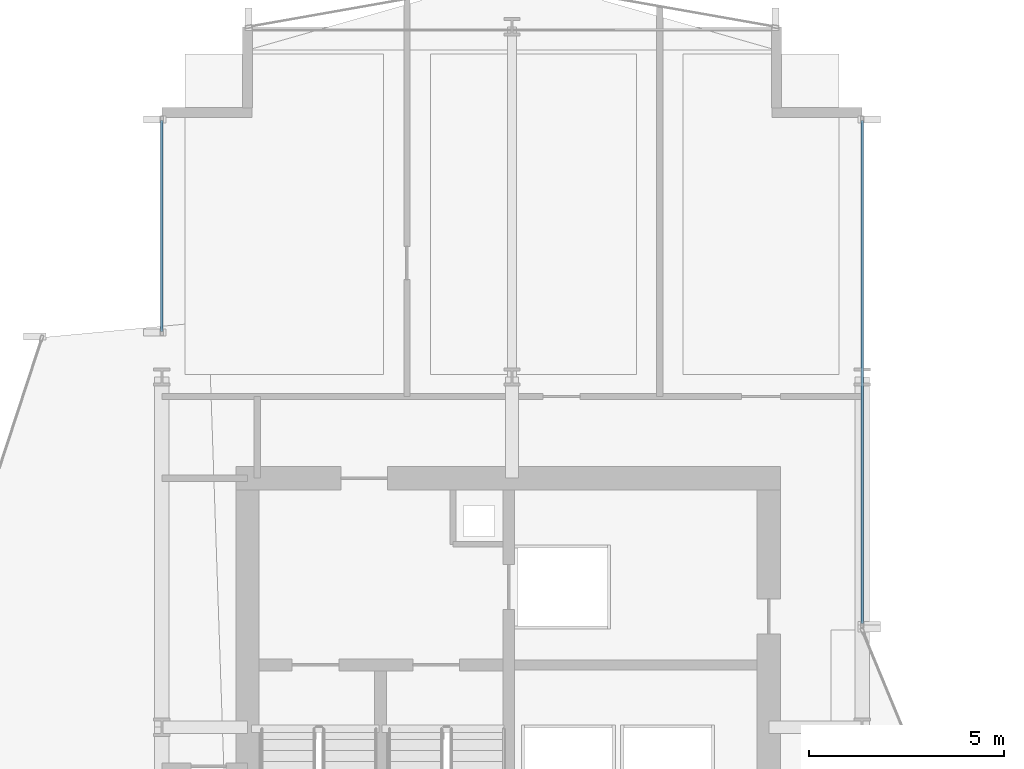
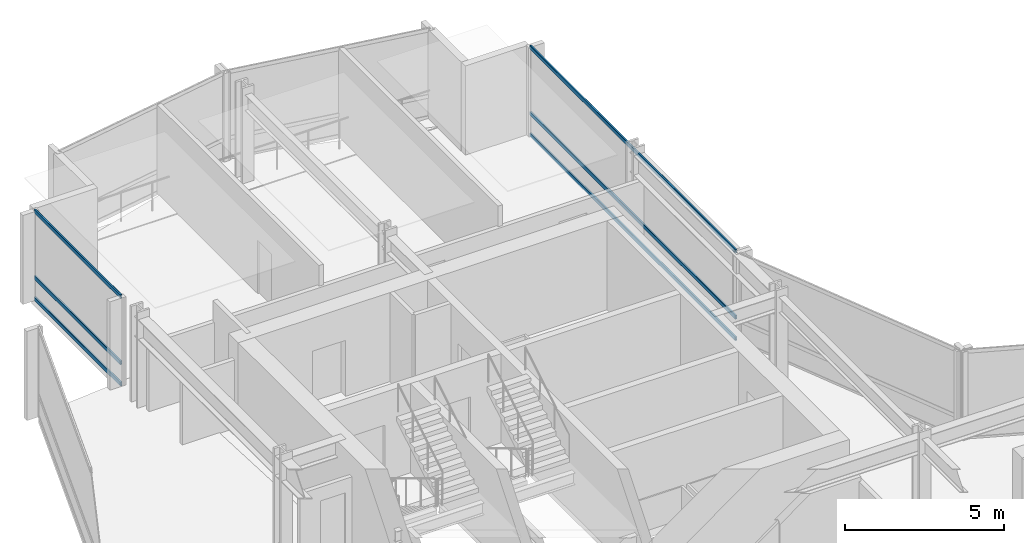
# One storey, part 22 of 34: 6 members, 2 elements without a shape of their own.
"""IFC4 building model written with IfcOpenShell, lengths in metres."""

from ifc_helpers import new_model, si_unit, direction, frame, origin, origin_2d, place, context, subcontext, project, spatial, hollow_rectangle, extrude, material, layer, layer_set, material_profile, profile_set, type_object, element, aggregate, save


model = new_model("IFC4")

# Units and contexts
model_context = context("Model", 3, precision=1e-05, world=origin(), true_north=direction((0.0, 1.0)))
body_context = subcontext(model_context, "Body", "Model", "MODEL_VIEW")
ifc_project = project(units=[si_unit("LENGTHUNIT", "METRE"), si_unit("AREAUNIT", "SQUARE_METRE"), si_unit("VOLUMEUNIT", "CUBIC_METRE"), si_unit("PLANEANGLEUNIT", "RADIAN"), si_unit("MASSUNIT", "GRAM", prefix="KILO")], contexts=[model_context])

# Site, building, storey
site_placement = place(None, origin())
site = spatial("IfcSite", under=ifc_project, at=site_placement, CompositionType="ELEMENT")
building_placement = place(site_placement, origin())
building = spatial("IfcBuilding", under=site, at=building_placement, Name="Solvaryn Broadcast Tower", CompositionType="ELEMENT")
storey_placement = place(building_placement, frame((0.0, 0.0, 89.10009765625)))
storey = spatial("IfcBuildingStorey", under=building, at=storey_placement, Name="L21", CompositionType="ELEMENT", Elevation=89.10009765625)

# Curtain wall, members
ifc_material_1 = material(Name="Aluminium and Terracotta Unitised Curtain Wall", Category="masonry")
ifc_layer = layer(ifc_material_1, 0.199951171875)
ifc_layer_set = layer_set([ifc_layer], Name="CW-SYS2-LOWMID")
curtain_wall_type = type_object("IfcCurtainWallType", Name="CW-SYS2-LOWMID", PredefinedType="NOTDEFINED", material=ifc_layer_set)
curtain_wall_1_placement = place(storey_placement, origin())
curtain_wall_1 = element("IfcCurtainWall", 1, at=curtain_wall_1_placement, inside=storey, type_object=curtain_wall_type, Name="L21 Curtain Wall W2", PredefinedType="NOTDEFINED")
ifc_material_2 = material(Name="Anodised Aluminium 6063-T6", Category="aluminium")
ifc_material_profile = material_profile(ifc_material_2, hollow_rectangle(XDim=0.06494140625, YDim=0.14990234375, WallThickness=0.00390625, InnerFilletRadius=0.00390625, OuterFilletRadius=0.008056640625, at=origin_2d()))
ifc_profile_set = profile_set([ifc_material_profile], Name="Anodised Aluminium 6063-T6")
member_type = type_object("IfcMemberType", Name="CW-TRN-150", PredefinedType="USERDEFINED", material=ifc_profile_set)
member_1_placement = place(storey_placement, frame((9.0, 46.176025390625, 0.02978515625), z_axis=(0.0, 1.0, 0.0), x_axis=(-1.0, 0.0, 0.0)))
member_1 = element("IfcMember", 2, at=member_1_placement, type_object=member_type, Name="CWS2 transom 1.1", ObjectType="TRANSOM", PredefinedType="USERDEFINED", context=body_context, shape_type="SweptSolid", body=[
    extrude(hollow_rectangle(XDim=0.06494140625, YDim=0.14990234375, WallThickness=0.00390625, InnerFilletRadius=0.00390625, OuterFilletRadius=0.008056640625, at=origin_2d()), origin(), (0.0, 0.0, 1.0), 5.4140625),
])
member_2_placement = place(storey_placement, frame((9.0, 46.176025390625, 0.849853515625), z_axis=(0.0, 1.0, 0.0), x_axis=(-1.0, 0.0, 0.0)))
member_2 = element("IfcMember", 3, at=member_2_placement, type_object=member_type, Name="CWS2 transom 1.2", ObjectType="TRANSOM", PredefinedType="USERDEFINED", context=body_context, shape_type="SweptSolid", body=[
    extrude(hollow_rectangle(XDim=0.06494140625, YDim=0.14990234375, WallThickness=0.00390625, InnerFilletRadius=0.00390625, OuterFilletRadius=0.008056640625, at=origin_2d()), origin(), (0.0, 0.0, 1.0), 5.4140625),
])
member_3_placement = place(storey_placement, frame((9.0, 46.176025390625, 3.389892578125), z_axis=(0.0, 1.0, 0.0), x_axis=(-1.0, 0.0, 0.0)))
member_3 = element("IfcMember", 4, at=member_3_placement, type_object=member_type, Name="CWS2 transom 1.3", ObjectType="TRANSOM", PredefinedType="USERDEFINED", context=body_context, shape_type="SweptSolid", body=[
    extrude(hollow_rectangle(XDim=0.06494140625, YDim=0.14990234375, WallThickness=0.00390625, InnerFilletRadius=0.00390625, OuterFilletRadius=0.008056640625, at=origin_2d()), origin(), (0.0, 0.0, 1.0), 5.4140625),
])
aggregate(curtain_wall_1, [member_1, member_2, member_3])

curtain_wall_2_placement = place(storey_placement, origin())
curtain_wall_2 = element("IfcCurtainWall", 5, at=curtain_wall_2_placement, inside=storey, type_object=curtain_wall_type, Name="L21 Curtain Wall IV", PredefinedType="NOTDEFINED")
member_4_placement = place(storey_placement, frame((27.0, 51.590087890625, 0.02978515625), z_axis=(0.0, -1.0, 0.0), x_axis=(1.0, 0.0, 0.0)))
member_4 = element("IfcMember", 6, at=member_4_placement, type_object=member_type, Name="CWS2 transom 1.1", ObjectType="TRANSOM", PredefinedType="USERDEFINED", context=body_context, shape_type="SweptSolid", body=[
    extrude(hollow_rectangle(XDim=0.06494140625, YDim=0.14990234375, WallThickness=0.00390625, InnerFilletRadius=0.00390625, OuterFilletRadius=0.008056640625, at=origin_2d()), origin(), (0.0, 0.0, 1.0), 12.93017578125),
])
member_5_placement = place(storey_placement, frame((27.0, 51.590087890625, 0.849853515625), z_axis=(0.0, -1.0, 0.0), x_axis=(1.0, 0.0, 0.0)))
member_5 = element("IfcMember", 7, at=member_5_placement, type_object=member_type, Name="CWS2 transom 1.2", ObjectType="TRANSOM", PredefinedType="USERDEFINED", context=body_context, shape_type="SweptSolid", body=[
    extrude(hollow_rectangle(XDim=0.06494140625, YDim=0.14990234375, WallThickness=0.00390625, InnerFilletRadius=0.00390625, OuterFilletRadius=0.008056640625, at=origin_2d()), origin(), (0.0, 0.0, 1.0), 12.93017578125),
])
member_6_placement = place(storey_placement, frame((27.0, 51.590087890625, 3.389892578125), z_axis=(0.0, -1.0, 0.0), x_axis=(1.0, 0.0, 0.0)))
member_6 = element("IfcMember", 8, at=member_6_placement, type_object=member_type, Name="CWS2 transom 1.3", ObjectType="TRANSOM", PredefinedType="USERDEFINED", context=body_context, shape_type="SweptSolid", body=[
    extrude(hollow_rectangle(XDim=0.06494140625, YDim=0.14990234375, WallThickness=0.00390625, InnerFilletRadius=0.00390625, OuterFilletRadius=0.008056640625, at=origin_2d()), origin(), (0.0, 0.0, 1.0), 12.93017578125),
])
aggregate(curtain_wall_2, [member_4, member_5, member_6])

save(model, "model.ifc")
